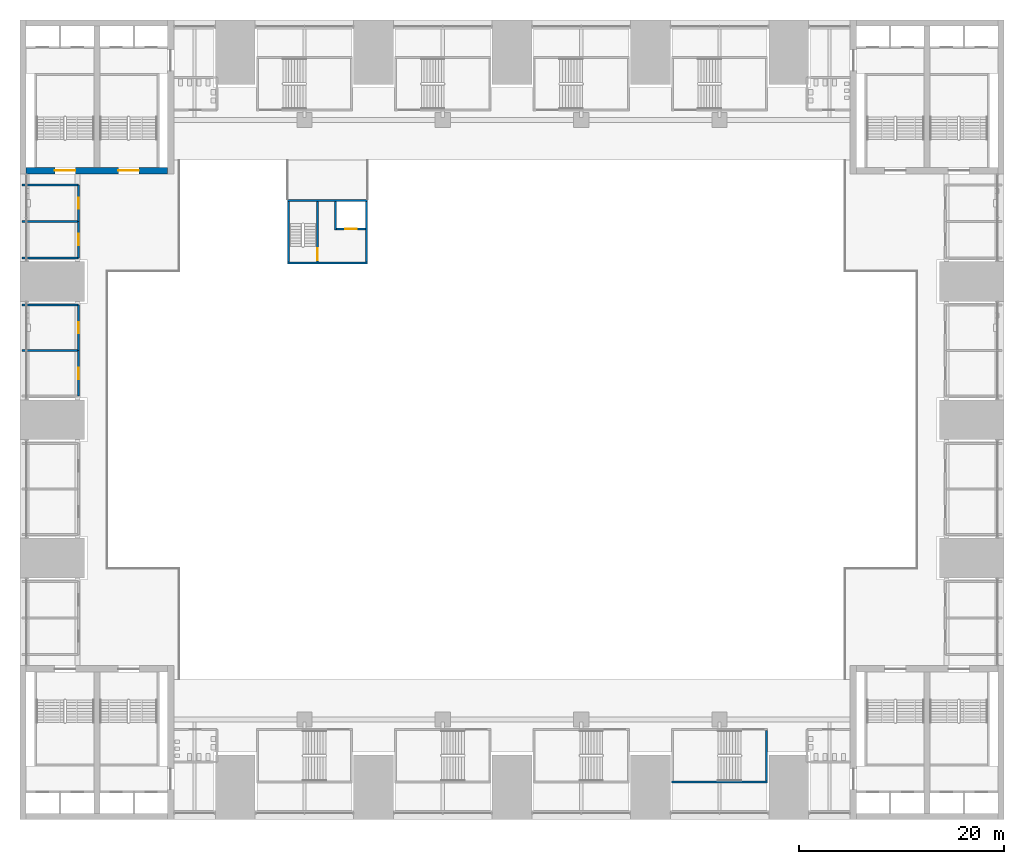
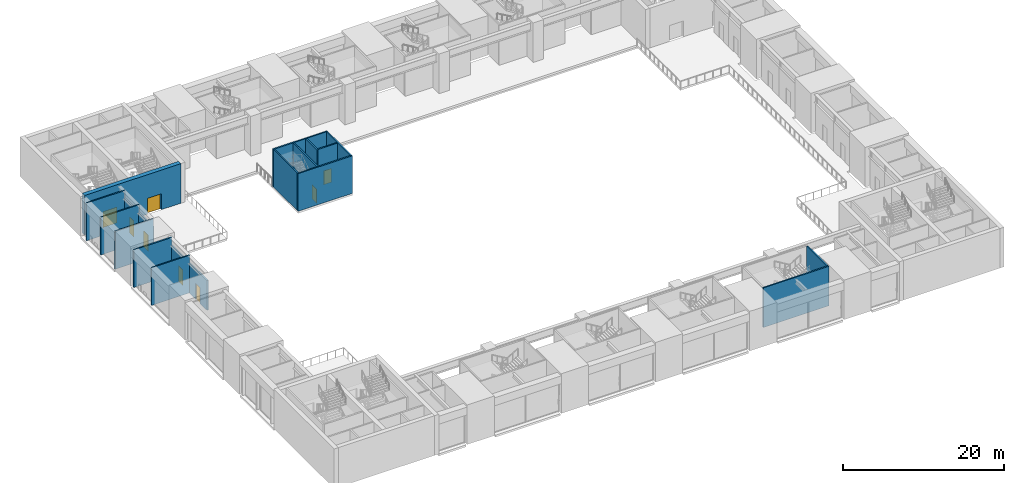
# One storey, part 14 of 41: 19 walls, 8 doors, 8 openings.
"""IFC4 building model written with IfcOpenShell, lengths in metres."""

from ifc_helpers import new_model, si_unit, direction, frame, frame_2d, origin, place, context, subcontext, project, spatial, rectangle, extrude, material, layer, layer_set, type_object, element, fill, save


model = new_model("IFC4")

# Units and contexts
model_context = context("Model", 3, precision=1e-05, world=origin(), true_north=direction((0.0, 1.0)))
body_context = subcontext(model_context, "Body", "Model", "MODEL_VIEW")
ifc_project = project(units=[si_unit("LENGTHUNIT", "METRE"), si_unit("AREAUNIT", "SQUARE_METRE"), si_unit("VOLUMEUNIT", "CUBIC_METRE"), si_unit("PLANEANGLEUNIT", "RADIAN"), si_unit("MASSUNIT", "GRAM", prefix="KILO")], contexts=[model_context])

# Site, building, storey
site_placement = place(None, origin())
site = spatial("IfcSite", under=ifc_project, at=site_placement, CompositionType="ELEMENT")
building_placement = place(site_placement, origin())
building = spatial("IfcBuilding", under=site, at=building_placement, Name="Corbelhall Arena Tower", CompositionType="ELEMENT")
storey_placement = place(building_placement, frame((0.0, 0.0, 19.0)))
storey = spatial("IfcBuildingStorey", under=building, at=storey_placement, Name="L02", CompositionType="ELEMENT", Elevation=19.0)

# Walls
ifc_material_1 = material(Name="Gypsum board on steel studs", Category="steel")
ifc_layer_1 = layer(ifc_material_1, 0.199951171875)
ifc_layer_set_1 = layer_set([ifc_layer_1], Name="AR-ROOM-WALL")
wall_type_1 = type_object("IfcWallType", Name="AR-ROOM-WALL", PredefinedType="PARTITIONING", material=ifc_layer_set_1)
for number, where, z_axis, x_axis, name in (
    (1, (-47.800048828125, 6.75, 0.0), (0.0, 0.0, 1.0), (1.0, 0.0, 0.0), "Concession bar 7 partition"),
    (2, (-42.300048828125, 11.199951171875, 0.0), (0.0, 0.0, 1.0), (-1.0, 0.0, 0.0), "Accessible WC 3 end wall"),
    (3, (-42.300048828125, 15.800048828125, 0.0), (0.0, 0.0, 1.0), (-1.0, 0.0, 0.0), "Concession bar 10 end wall"),
    (4, (-47.800048828125, 19.35009765625, 0.0), (0.0, 0.0, 1.0), (1.0, 0.0, 0.0), "Concession bar 10 partition"),
    (5, (-42.300048828125, 22.89990234375, 0.0), (0.0, 0.0, 1.0), (-1.0, 0.0, 0.0), "Accessible WC 4 end wall"),
):
    element("IfcWall", number, at=place(storey_placement, frame(where, z_axis=z_axis, x_axis=x_axis)), inside=storey, type_object=wall_type_1, Name=name, PredefinedType="PARTITIONING", context=body_context, shape_type="SweptSolid", body=[
        extrude(rectangle(XDim=5.5, YDim=0.199951171875, at=frame_2d((2.75, 0.0))), origin(), (0.0, 0.0, 1.0), 5.699951171875),
    ])

# Wall, opening, door
ifc_layer_2 = layer(ifc_material_1, 0.199951171875)
ifc_layer_set_2 = layer_set([ifc_layer_2], Name="AR-ROOM-WALL under beam 1200 mm")
wall_type_2 = type_object("IfcWallType", Name="AR-ROOM-WALL under beam 1200 mm", PredefinedType="PARTITIONING", material=ifc_layer_set_2)
wall_1_placement = place(storey_placement, frame((-42.300048828125, 2.300048828125, 0.0), z_axis=(0.0, 0.0, 1.0), x_axis=(0.0, 1.0, 0.0)))
wall_1 = element("IfcWall", 6, at=wall_1_placement, inside=storey, type_object=wall_type_2, Name="Concession bar 7 wall", PredefinedType="PARTITIONING", context=body_context, shape_type="SweptSolid", body=[
    extrude(rectangle(XDim=4.449951171875, YDim=0.199951171875, at=frame_2d((2.22509765625, 0.0))), origin(), (0.0, 0.0, 1.0), 4.5),
])
opening_1_placement = place(wall_1_placement, frame((1.675048828125, 0.0, 0.0)))
opening_1 = element("IfcOpeningElement", 7, at=opening_1_placement, cuts=wall_1, Name="Opening DA0371", PredefinedType="OPENING", context=body_context, shape_type="SweptSolid", body=[
    extrude(rectangle(XDim=1.10009765625, YDim=2.39990234375, at=frame_2d((0.550048828125, 1.199951171875))), frame((0.0, 0.10009765625, 0.0), z_axis=(0.0, -1.0, 0.0), x_axis=(1.0, 0.0, 0.0)), (0.0, 0.0, 1.0), 0.199951171875),
])
ifc_material_2 = material(Name="Timber", Category="wood")
door_type_1 = type_object("IfcDoorType", Name="AR-ROOM-DOOR", OperationType="DOUBLE_DOOR_SINGLE_SWING", PredefinedType="DOOR", material=ifc_material_2)
door_1_placement = place(opening_1_placement, origin())
door_1 = element("IfcDoor", 8, at=door_1_placement, inside=storey, type_object=door_type_1, Name="Concession bar 7 door", OperationType="DOUBLE_DOOR_SINGLE_SWING", OverallHeight=2.39990234375, OverallWidth=1.10009765625, PredefinedType="DOOR", context=body_context, shape_type="SweptSolid", body=[
    extrude(rectangle(XDim=1.10009765625, YDim=2.39990234375, at=frame_2d((0.550048828125, 1.199951171875))), frame((0.0, 0.02490234375, 0.0), z_axis=(0.0, -1.0, 0.0), x_axis=(1.0, 0.0, 0.0)), (0.0, 0.0, 1.0), 0.050048828125),
])
fill(opening_1, door_1)

wall_2_placement = place(storey_placement, frame((-42.300048828125, 6.75, 0.0), z_axis=(0.0, 0.0, 1.0), x_axis=(0.0, 1.0, 0.0)))
wall_2 = element("IfcWall", 9, at=wall_2_placement, inside=storey, type_object=wall_type_2, Name="Accessible WC 3 wall", PredefinedType="PARTITIONING", context=body_context, shape_type="SweptSolid", body=[
    extrude(rectangle(XDim=4.449951171875, YDim=0.199951171875, at=frame_2d((2.22509765625, 0.0))), origin(), (0.0, 0.0, 1.0), 4.5),
])
opening_2_placement = place(wall_2_placement, frame((1.675048828125, 0.0, 0.0)))
opening_2 = element("IfcOpeningElement", 10, at=opening_2_placement, cuts=wall_2, Name="Opening DA0372", PredefinedType="OPENING", context=body_context, shape_type="SweptSolid", body=[
    extrude(rectangle(XDim=1.10009765625, YDim=2.39990234375, at=frame_2d((0.550048828125, 1.199951171875))), frame((0.0, 0.10009765625, 0.0), z_axis=(0.0, -1.0, 0.0), x_axis=(1.0, 0.0, 0.0)), (0.0, 0.0, 1.0), 0.199951171875),
])
door_2_placement = place(opening_2_placement, origin())
door_2 = element("IfcDoor", 11, at=door_2_placement, inside=storey, type_object=door_type_1, Name="Accessible WC 3 door", OperationType="DOUBLE_DOOR_SINGLE_SWING", OverallHeight=2.39990234375, OverallWidth=1.10009765625, PredefinedType="DOOR", context=body_context, shape_type="SweptSolid", body=[
    extrude(rectangle(XDim=1.10009765625, YDim=2.39990234375, at=frame_2d((0.550048828125, 1.199951171875))), frame((0.0, 0.02490234375, 0.0), z_axis=(0.0, -1.0, 0.0), x_axis=(1.0, 0.0, 0.0)), (0.0, 0.0, 1.0), 0.050048828125),
])
fill(opening_2, door_2)

wall_3_placement = place(storey_placement, frame((-42.300048828125, 15.800048828125, 0.0), z_axis=(0.0, 0.0, 1.0), x_axis=(0.0, 1.0, 0.0)))
wall_3 = element("IfcWall", 12, at=wall_3_placement, inside=storey, type_object=wall_type_2, Name="Concession bar 10 wall", PredefinedType="PARTITIONING", context=body_context, shape_type="SweptSolid", body=[
    extrude(rectangle(XDim=3.550048828125, YDim=0.199951171875, at=frame_2d((1.77490234375, 0.0))), origin(), (0.0, 0.0, 1.0), 4.5),
])
opening_3_placement = place(wall_3_placement, frame((1.22509765625, 0.0, 0.0)))
opening_3 = element("IfcOpeningElement", 13, at=opening_3_placement, cuts=wall_3, Name="Opening DA0375", PredefinedType="OPENING", context=body_context, shape_type="SweptSolid", body=[
    extrude(rectangle(XDim=1.10009765625, YDim=2.39990234375, at=frame_2d((0.550048828125, 1.199951171875))), frame((0.0, 0.10009765625, 0.0), z_axis=(0.0, -1.0, 0.0), x_axis=(1.0, 0.0, 0.0)), (0.0, 0.0, 1.0), 0.199951171875),
])
door_3_placement = place(opening_3_placement, origin())
door_3 = element("IfcDoor", 14, at=door_3_placement, inside=storey, type_object=door_type_1, Name="Concession bar 10 door", OperationType="DOUBLE_DOOR_SINGLE_SWING", OverallHeight=2.39990234375, OverallWidth=1.10009765625, PredefinedType="DOOR", context=body_context, shape_type="SweptSolid", body=[
    extrude(rectangle(XDim=1.10009765625, YDim=2.39990234375, at=frame_2d((0.550048828125, 1.199951171875))), frame((0.0, 0.02490234375, 0.0), z_axis=(0.0, -1.0, 0.0), x_axis=(1.0, 0.0, 0.0)), (0.0, 0.0, 1.0), 0.050048828125),
])
fill(opening_3, door_3)

wall_4_placement = place(storey_placement, frame((-42.300048828125, 19.35009765625, 0.0), z_axis=(0.0, 0.0, 1.0), x_axis=(0.0, 1.0, 0.0)))
wall_4 = element("IfcWall", 15, at=wall_4_placement, inside=storey, type_object=wall_type_2, Name="Accessible WC 4 wall", PredefinedType="PARTITIONING", context=body_context, shape_type="SweptSolid", body=[
    extrude(rectangle(XDim=3.5498046875, YDim=0.199951171875, at=frame_2d((1.77490234375, 0.0))), origin(), (0.0, 0.0, 1.0), 4.5),
])
opening_4_placement = place(wall_4_placement, frame((1.22509765625, 0.0, 0.0)))
opening_4 = element("IfcOpeningElement", 16, at=opening_4_placement, cuts=wall_4, Name="Opening DA0376", PredefinedType="OPENING", context=body_context, shape_type="SweptSolid", body=[
    extrude(rectangle(XDim=1.10009765625, YDim=2.39990234375, at=frame_2d((0.550048828125, 1.199951171875))), frame((0.0, 0.10009765625, 0.0), z_axis=(0.0, -1.0, 0.0), x_axis=(1.0, 0.0, 0.0)), (0.0, 0.0, 1.0), 0.199951171875),
])
door_4_placement = place(opening_4_placement, origin())
door_4 = element("IfcDoor", 17, at=door_4_placement, inside=storey, type_object=door_type_1, Name="Accessible WC 4 door", OperationType="DOUBLE_DOOR_SINGLE_SWING", OverallHeight=2.39990234375, OverallWidth=1.10009765625, PredefinedType="DOOR", context=body_context, shape_type="SweptSolid", body=[
    extrude(rectangle(XDim=1.10009765625, YDim=2.39990234375, at=frame_2d((0.550048828125, 1.199951171875))), frame((0.0, 0.02490234375, 0.0), z_axis=(0.0, -1.0, 0.0), x_axis=(1.0, 0.0, 0.0)), (0.0, 0.0, 1.0), 0.050048828125),
])
fill(opening_4, door_4)

# Walls
ifc_material_3 = material(Name="Reinforced concrete C40/50", Category="concrete")
ifc_layer_3 = layer(ifc_material_3, 0.199951171875)
ifc_layer_set_3 = layer_set([ifc_layer_3], Name="AR-STAIR-WALL")
wall_type_3 = type_object("IfcWallType", Name="AR-STAIR-WALL", PredefinedType="SOLIDWALL", material=ifc_layer_set_3)
wall_5_placement = place(storey_placement, frame((15.550048828125, -35.35009765625, 0.0), z_axis=(0.0, 0.0, 1.0), x_axis=(1.0, 0.0, 0.0)))
element("IfcWall", 18, at=wall_5_placement, inside=storey, type_object=wall_type_3, Name="Stair AS16 wall", PredefinedType="SOLIDWALL", context=body_context, shape_type="SweptSolid", body=[
    extrude(rectangle(XDim=9.39990234375, YDim=0.199951171875, at=frame_2d((4.699951171875, 0.0))), origin(), (0.0, 0.0, 1.0), 6.0),
])
wall_6_placement = place(storey_placement, frame((24.85009765625, -35.25, 0.0), z_axis=(0.0, 0.0, 1.0), x_axis=(0.0, 1.0, 0.0)))
element("IfcWall", 19, at=wall_6_placement, inside=storey, type_object=wall_type_3, Name="Stair AS16 wall", PredefinedType="SOLIDWALL", context=body_context, shape_type="SweptSolid", body=[
    extrude(rectangle(XDim=4.949951171875, YDim=0.199951171875, at=frame_2d((2.47509765625, 0.0))), origin(), (0.0, 0.0, 1.0), 6.0),
])
ifc_material_4 = material(Name="Concrete C40/50", Category="concrete")
ifc_layer_4 = layer(ifc_material_4, 0.199951171875)
ifc_layer_set_4 = layer_set([ifc_layer_4], Name="IN-W-EAR200")
wall_type_4 = type_object("IfcWallType", Name="IN-W-EAR200", PredefinedType="SOLIDWALL", material=ifc_layer_set_4)
for number, where, z_axis, x_axis, name in (
    (20, (-21.89990234375, 15.300048828125, 0.0), (0.0, 0.0, 1.0), (1.0, 0.0, 0.0), "Fire service turret wall south"),
    (21, (-21.89990234375, 21.39990234375, 0.0), (0.0, 0.0, 1.0), (1.0, 0.0, 0.0), "Fire service turret wall north"),
):
    element("IfcWall", number, at=place(storey_placement, frame(where, z_axis=z_axis, x_axis=x_axis)), inside=storey, type_object=wall_type_4, Name=name, PredefinedType="SOLIDWALL", context=body_context, shape_type="SweptSolid", body=[
        extrude(rectangle(XDim=7.7998046875, YDim=0.199951171875, at=frame_2d((3.89990234375, 0.0))), origin(), (0.0, 0.0, 1.0), 5.699951171875),
    ])
for number, where, z_axis, x_axis, name in (
    (22, (-21.800048828125, 15.39990234375, 0.0), (0.0, 0.0, 1.0), (0.0, 1.0, 0.0), "Fire service turret wall west"),
    (23, (-14.199951171875, 15.39990234375, 0.0), (0.0, 0.0, 1.0), (0.0, 1.0, 0.0), "Fire service turret wall east"),
):
    element("IfcWall", number, at=place(storey_placement, frame(where, z_axis=z_axis, x_axis=x_axis)), inside=storey, type_object=wall_type_4, Name=name, PredefinedType="SOLIDWALL", context=body_context, shape_type="SweptSolid", body=[
        extrude(rectangle(XDim=5.900146484375, YDim=0.199951171875, at=frame_2d((2.9501953125, 0.0))), origin(), (0.0, 0.0, 1.0), 5.699951171875),
    ])

# Wall, opening, door
wall_7_placement = place(storey_placement, frame((-18.989990234375, 15.39990234375, 0.0), z_axis=(0.0, 0.0, 1.0), x_axis=(0.0, 1.0, 0.0)))
wall_7 = element("IfcWall", 24, at=wall_7_placement, inside=storey, type_object=wall_type_4, Name="Fire service turret wall stair", PredefinedType="SOLIDWALL", context=body_context, shape_type="SweptSolid", body=[
    extrude(rectangle(XDim=5.900146484375, YDim=0.199951171875, at=frame_2d((2.9501953125, 0.0))), origin(), (0.0, 0.0, 1.0), 5.699951171875),
])
opening_5_placement = place(wall_7_placement, frame((0.14990234375, 0.0, 0.0)))
opening_5 = element("IfcOpeningElement", 25, at=opening_5_placement, cuts=wall_7, Name="Opening E021", PredefinedType="OPENING", context=body_context, shape_type="SweptSolid", body=[
    extrude(rectangle(XDim=1.199951171875, YDim=2.10009765625, at=frame_2d((0.60009765625, 1.050048828125))), frame((0.0, 0.10009765625, 0.0), z_axis=(0.0, -1.0, 0.0), x_axis=(1.0, 0.0, 0.0)), (0.0, 0.0, 1.0), 0.199951171875),
])
ifc_material_5 = material(Name="Steel door set", Category="steel")
door_type_2 = type_object("IfcDoorType", Name="IN-D-ST120", OperationType="NOTDEFINED", PredefinedType="DOOR", material=ifc_material_5)
door_5_placement = place(opening_5_placement, origin())
door_5 = element("IfcDoor", 26, at=door_5_placement, inside=storey, type_object=door_type_2, Name="Stair door to fire service lobby", OperationType="SINGLE_SWING_LEFT", OverallHeight=2.10009765625, OverallWidth=1.199951171875, PredefinedType="DOOR", context=body_context, shape_type="SweptSolid", body=[
    extrude(rectangle(XDim=1.199951171875, YDim=2.10009765625, at=frame_2d((0.60009765625, 1.050048828125))), frame((0.0, 0.02490234375, 0.0), z_axis=(0.0, -1.0, 0.0), x_axis=(1.0, 0.0, 0.0)), (0.0, 0.0, 1.0), 0.050048828125),
])
fill(opening_5, door_5)

# Wall
wall_8_placement = place(storey_placement, frame((-17.199951171875, 18.5, 0.0), z_axis=(0.0, 0.0, 1.0), x_axis=(0.0, 1.0, 0.0)))
element("IfcWall", 27, at=wall_8_placement, inside=storey, type_object=wall_type_4, Name="Fire service turret wall hoistway west", PredefinedType="SOLIDWALL", context=body_context, shape_type="SweptSolid", body=[
    extrude(rectangle(XDim=2.800048828125, YDim=0.199951171875, at=frame_2d((1.39990234375, 0.0))), origin(), (0.0, 0.0, 1.0), 5.699951171875),
])

# Wall, opening, door
wall_9_placement = place(storey_placement, frame((-17.10009765625, 18.60009765625, 0.0), z_axis=(0.0, 0.0, 1.0), x_axis=(1.0, 0.0, 0.0)))
wall_9 = element("IfcWall", 28, at=wall_9_placement, inside=storey, type_object=wall_type_4, Name="Fire service turret wall hoistway south", PredefinedType="SOLIDWALL", context=body_context, shape_type="SweptSolid", body=[
    extrude(rectangle(XDim=2.800048828125, YDim=0.199951171875, at=frame_2d((1.39990234375, 0.0))), origin(), (0.0, 0.0, 1.0), 5.699951171875),
])
opening_6_placement = place(wall_9_placement, frame((0.85009765625, 0.0, 0.0)))
opening_6 = element("IfcOpeningElement", 29, at=opening_6_placement, cuts=wall_9, Name="Opening LD", PredefinedType="OPENING", context=body_context, shape_type="SweptSolid", body=[
    extrude(rectangle(XDim=1.10009765625, YDim=2.10009765625, at=frame_2d((0.550048828125, 1.050048828125))), frame((0.0, 0.10009765625, 0.0), z_axis=(0.0, -1.0, 0.0), x_axis=(1.0, 0.0, 0.0)), (0.0, 0.0, 1.0), 0.199951171875),
])
door_type_3 = type_object("IfcDoorType", Name="IN-D-LD110", OperationType="NOTDEFINED", PredefinedType="DOOR", material=ifc_material_5)
door_6_placement = place(opening_6_placement, origin())
door_6 = element("IfcDoor", 30, at=door_6_placement, inside=storey, type_object=door_type_3, Name="Landing door FS1", OperationType="SLIDING_TO_LEFT", OverallHeight=2.10009765625, OverallWidth=1.10009765625, PredefinedType="DOOR", context=body_context, shape_type="SweptSolid", body=[
    extrude(rectangle(XDim=1.10009765625, YDim=2.10009765625, at=frame_2d((0.550048828125, 1.050048828125))), frame((0.0, 0.02490234375, 0.0), z_axis=(0.0, -1.0, 0.0), x_axis=(1.0, 0.0, 0.0)), (0.0, 0.0, 1.0), 0.050048828125),
])
fill(opening_6, door_6)

# Wall, openings, doors
ifc_material_6 = material(Name="Concrete C80/95", Category="concrete")
ifc_layer_5 = layer(ifc_material_6, 0.60009765625)
ifc_layer_set_5 = layer_set([ifc_layer_5], Name="PO-CORE-WALL")
wall_type_5 = type_object("IfcWallType", Name="PO-CORE-WALL", PredefinedType="SHEAR", material=ifc_layer_set_5)
wall_10_placement = place(storey_placement, frame((-47.39990234375, 24.300048828125, 0.0), z_axis=(0.0, 0.0, 1.0), x_axis=(1.0, 0.0, 0.0)))
wall_10 = element("IfcWall", 31, at=wall_10_placement, inside=storey, type_object=wall_type_5, Name="CORE NW WALL S L02", PredefinedType="SHEAR", context=body_context, shape_type="SweptSolid", body=[
    extrude(rectangle(XDim=13.7998046875, YDim=0.60009765625, at=frame_2d((6.89990234375, 0.0))), origin(), (0.0, 0.0, 1.0), 6.0),
])
opening_7_placement = place(wall_10_placement, frame((8.9951171875, 0.0, 0.0)))
opening_7 = element("IfcOpeningElement", 32, at=opening_7_placement, cuts=wall_10, Name="Opening DA0071", PredefinedType="OPENING", context=body_context, shape_type="SweptSolid", body=[
    extrude(rectangle(XDim=2.0, YDim=2.39990234375, at=frame_2d((1.0, 1.199951171875))), frame((0.0, 0.300048828125, 0.0), z_axis=(0.0, -1.0, 0.0), x_axis=(1.0, 0.0, 0.0)), (0.0, 0.0, 1.0), 0.60009765625),
])
opening_8_placement = place(wall_10_placement, frame((2.804931640625, 0.0, 0.0)))
opening_8 = element("IfcOpeningElement", 33, at=opening_8_placement, cuts=wall_10, Name="Opening DA0079", PredefinedType="OPENING", context=body_context, shape_type="SweptSolid", body=[
    extrude(rectangle(XDim=2.0, YDim=2.39990234375, at=frame_2d((1.0, 1.199951171875))), frame((0.0, 0.300048828125, 0.0), z_axis=(0.0, -1.0, 0.0), x_axis=(1.0, 0.0, 0.0)), (0.0, 0.0, 1.0), 0.60009765625),
])
ifc_material_7 = material(Name="Steel and glass", Category="steel")
door_type_4 = type_object("IfcDoorType", Name="AR-STAIR-DOOR", OperationType="DOUBLE_DOOR_SINGLE_SWING", PredefinedType="DOOR", material=ifc_material_7)
door_7_placement = place(opening_7_placement, origin())
door_7 = element("IfcDoor", 34, at=door_7_placement, inside=storey, type_object=door_type_4, Name="Stair AS3 door", OperationType="DOUBLE_DOOR_SINGLE_SWING", OverallHeight=2.39990234375, OverallWidth=2.0, PredefinedType="DOOR", context=body_context, shape_type="SweptSolid", body=[
    extrude(rectangle(XDim=2.0, YDim=2.39990234375, at=frame_2d((1.0, 1.199951171875))), frame((0.0, 0.02490234375, 0.0), z_axis=(0.0, -1.0, 0.0), x_axis=(1.0, 0.0, 0.0)), (0.0, 0.0, 1.0), 0.050048828125),
])
fill(opening_7, door_7)
door_8_placement = place(opening_8_placement, origin())
door_8 = element("IfcDoor", 35, at=door_8_placement, inside=storey, type_object=door_type_4, Name="Stair AS4 door", OperationType="DOUBLE_DOOR_SINGLE_SWING", OverallHeight=2.39990234375, OverallWidth=2.0, PredefinedType="DOOR", context=body_context, shape_type="SweptSolid", body=[
    extrude(rectangle(XDim=2.0, YDim=2.39990234375, at=frame_2d((1.0, 1.199951171875))), frame((0.0, 0.02490234375, 0.0), z_axis=(0.0, -1.0, 0.0), x_axis=(1.0, 0.0, 0.0)), (0.0, 0.0, 1.0), 0.050048828125),
])
fill(opening_8, door_8)

save(model, "model.ifc")
